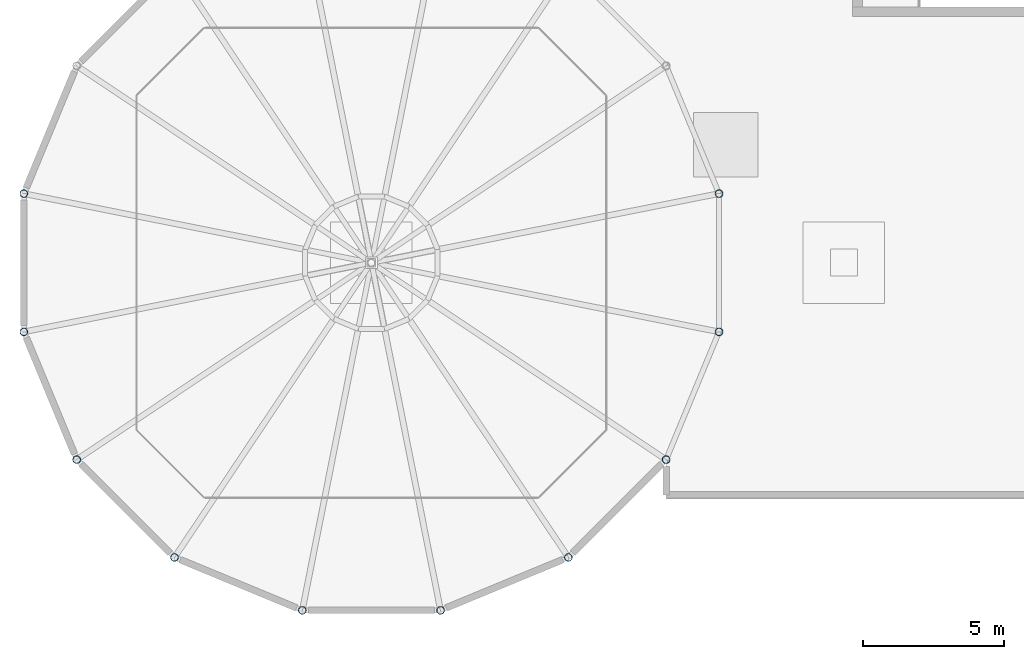
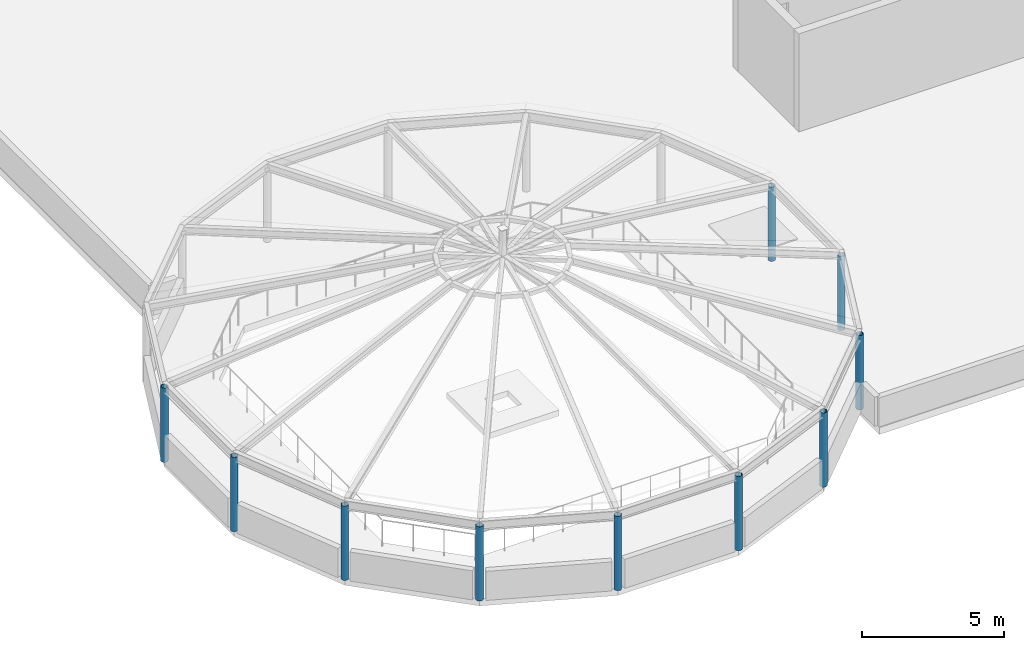
# One storey, part 1 of 85: 10 columns.
"""IFC4 building model written with IfcOpenShell, lengths in metres."""

from ifc_helpers import new_model, si_unit, direction, frame, origin, origin_2d, place, context, subcontext, project, spatial, hollow_circle, extrude, material, material_profile, profile_set, type_object, element, save


model = new_model("IFC4")

# Units and contexts
model_context = context("Model", 3, precision=1e-05, world=origin(), true_north=direction((0.0, 1.0)))
body_context = subcontext(model_context, "Body", "Model", "MODEL_VIEW")
ifc_project = project(units=[si_unit("LENGTHUNIT", "METRE"), si_unit("AREAUNIT", "SQUARE_METRE"), si_unit("VOLUMEUNIT", "CUBIC_METRE"), si_unit("PLANEANGLEUNIT", "RADIAN"), si_unit("MASSUNIT", "GRAM", prefix="KILO")], contexts=[model_context])

# Site, building, storey
site_placement = place(None, origin())
site = spatial("IfcSite", under=ifc_project, at=site_placement, CompositionType="ELEMENT")
building_placement = place(site_placement, origin())
building = spatial("IfcBuilding", under=site, at=building_placement, Name="Almacenes y Pasaje Nevantli", CompositionType="ELEMENT")
storey_placement = place(building_placement, frame((0.0, 0.0, 22.199951171875)))
storey = spatial("IfcBuildingStorey", under=building, at=storey_placement, Name="L05", CompositionType="ELEMENT", Elevation=22.199951171875)

# Columns
ifc_material = material(Name="Steel ASTM A500 Grade C", Category="steel")
ifc_material_profile = material_profile(ifc_material, hollow_circle(Radius=0.136474609375, WallThickness=0.00927734375, at=origin_2d()), Name="OC 273x9.3")
ifc_profile_set = profile_set([ifc_material_profile], Name="Steel ASTM A500 Grade C")
column_type = type_object("IfcColumnType", Name="COL-STL-OC273", PredefinedType="COLUMN", material=ifc_profile_set)
for number, where, z_axis, x_axis, name in (
    (1, (20.7578125, 10.858154296875, 0.0), (0.0, 0.0, 1.0), (1.0, 0.0, 0.0), "Rotunda Lantern Dome Steel Column CR-01"),
    (2, (-3.9580078125, 10.858154296875, 0.0), (0.0, 0.0, 1.0), (1.0, 0.0, 0.0), "Rotunda Lantern Dome Steel Column CR-08"),
    (3, (-3.9580078125, 5.94189453125, 0.0), (0.0, 0.0, 1.0), (1.0, 0.0, 0.0), "Rotunda Lantern Dome Steel Column CR-09"),
    (4, (-2.076416015625, 1.39990234375, 0.0), (0.0, 0.0, 1.0), (1.0, 0.0, 0.0), "Rotunda Lantern Dome Steel Column CR-10"),
    (5, (1.39990234375, -2.076416015625, 0.0), (0.0, 0.0, 1.0), (1.0, 0.0, 0.0), "Rotunda Lantern Dome Steel Column CR-11"),
    (6, (5.94189453125, -3.9580078125, 0.0), (0.0, 0.0, 1.0), (1.0, 0.0, 0.0), "Rotunda Lantern Dome Steel Column CR-12"),
    (7, (10.858154296875, -3.9580078125, 0.0), (0.0, 0.0, 1.0), (1.0, 0.0, 0.0), "Rotunda Lantern Dome Steel Column CR-13"),
    (8, (15.400146484375, -2.076416015625, 0.0), (0.0, 0.0, 1.0), (1.0, 0.0, 0.0), "Rotunda Lantern Dome Steel Column CR-14"),
    (9, (18.87646484375, 1.39990234375, 0.0), (0.0, 0.0, 1.0), (1.0, 0.0, 0.0), "Rotunda Lantern Dome Steel Column CR-15"),
    (10, (20.7578125, 5.94189453125, 0.0), (0.0, 0.0, 1.0), (1.0, 0.0, 0.0), "Rotunda Lantern Dome Steel Column CR-16"),
):
    element("IfcColumn", number, at=place(storey_placement, frame(where, z_axis=z_axis, x_axis=x_axis)), inside=storey, type_object=column_type, Name=name, PredefinedType="COLUMN", context=body_context, shape_type="SweptSolid", body=[
        extrude(hollow_circle(Radius=0.136474609375, WallThickness=0.00927734375, at=origin_2d()), origin(), (0.0, 0.0, 1.0), 3.199951171875),
    ])

save(model, "model.ifc")
